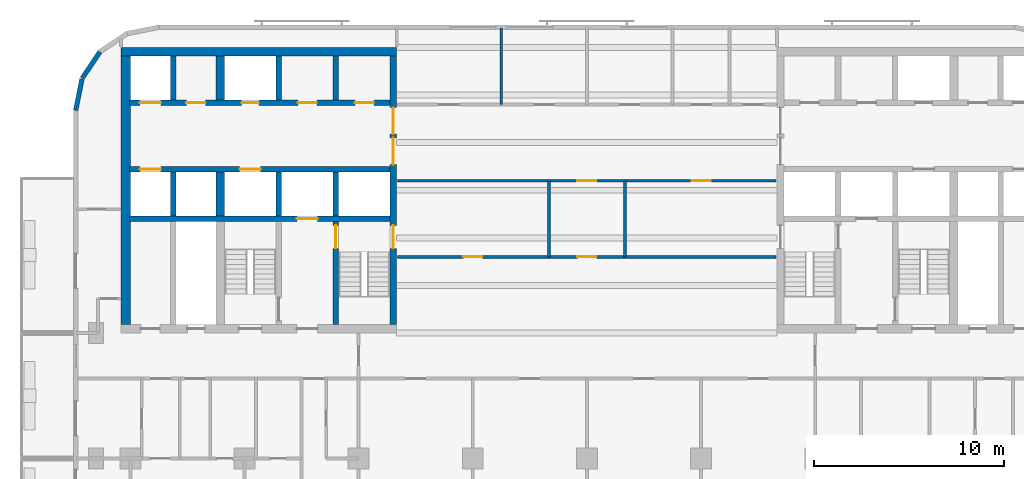
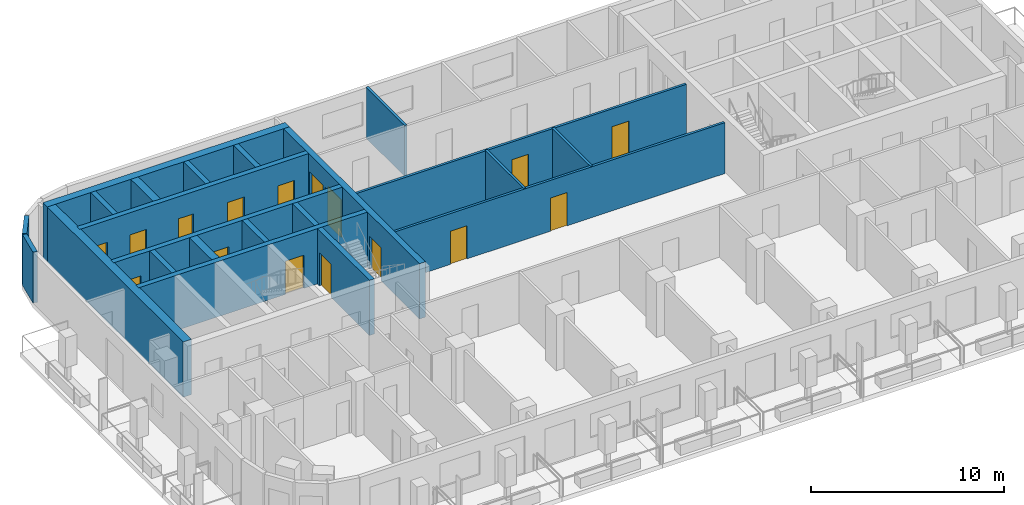
# One storey, part 4 of 11: 22 walls, 16 doors, 16 openings.
"""IFC4 building model written with IfcOpenShell, lengths in metres."""

from ifc_helpers import new_model, si_unit, direction, frame, frame_2d, origin, place, context, subcontext, project, spatial, rectangle, extrude, material, layer, layer_set, type_object, element, fill, save


model = new_model("IFC4")

# Units and contexts
model_context = context("Model", 3, precision=1e-05, world=origin(), true_north=direction((0.0, 1.0)))
body_context = subcontext(model_context, "Body", "Model", "MODEL_VIEW")
ifc_project = project(units=[si_unit("LENGTHUNIT", "METRE"), si_unit("AREAUNIT", "SQUARE_METRE"), si_unit("VOLUMEUNIT", "CUBIC_METRE"), si_unit("PLANEANGLEUNIT", "RADIAN"), si_unit("MASSUNIT", "GRAM", prefix="KILO")], contexts=[model_context])

# Site, building, storey
site_placement = place(None, origin())
site = spatial("IfcSite", under=ifc_project, at=site_placement, CompositionType="ELEMENT")
building_placement = place(site_placement, origin())
building = spatial("IfcBuilding", under=site, at=building_placement, Name="Torana Hotel and Residences", CompositionType="ELEMENT")
storey_placement = place(building_placement, frame((0.0, 0.0, 236.10009765625)))
storey = spatial("IfcBuildingStorey", under=building, at=storey_placement, Name="L62", CompositionType="ELEMENT", Elevation=236.10009765625)

# Wall, openings, doors
ifc_material_1 = material(Name="Concrete C70/85", Category="concrete")
ifc_layer_1 = layer(ifc_material_1, 0.300048828125)
ifc_layer_set_1 = layer_set([ifc_layer_1], Name="CORE WALL 300 C70/85")
wall_type_1 = type_object("IfcWallType", Name="CORE WALL 300 C70/85", PredefinedType="SHEAR", material=ifc_layer_set_1)
wall_1_placement = place(storey_placement, frame((-24.050048828125, -2.89990234375, 0.0), z_axis=(0.0, 0.0, 1.0), x_axis=(1.0, 0.0, 0.0)))
wall_1 = element("IfcWall", 1, at=wall_1_placement, inside=storey, type_object=wall_type_1, Name="Core wall W row-N", PredefinedType="SHEAR", context=body_context, shape_type="SweptSolid", body=[
    extrude(rectangle(XDim=13.699951171875, YDim=0.300048828125, at=frame_2d((6.85009765625, 0.0))), origin(), (0.0, 0.0, 1.0), 3.5),
])
opening_1_placement = place(wall_1_placement, frame((0.550048828125, 0.0, 0.0)))
opening_1 = element("IfcOpeningElement", 2, at=opening_1_placement, cuts=wall_1, Name="Opening LD", PredefinedType="OPENING", context=body_context, shape_type="SweptSolid", body=[
    extrude(rectangle(XDim=1.10009765625, YDim=2.10009765625, at=frame_2d((0.550048828125, 1.050048828125))), frame((0.0, 0.159912109375, 0.0), z_axis=(0.0, -1.0, 0.0), x_axis=(1.0, 0.0, 0.0)), (0.0, 0.0, 1.0), 0.320068359375),
])
opening_2_placement = place(wall_1_placement, frame((5.89990234375, 0.0, 0.0)))
opening_2 = element("IfcOpeningElement", 3, at=opening_2_placement, cuts=wall_1, Name="Opening L62-08", PredefinedType="OPENING", context=body_context, shape_type="SweptSolid", body=[
    extrude(rectangle(XDim=0.89990234375, YDim=2.10009765625, at=frame_2d((0.449951171875, 1.050048828125))), frame((0.0, 0.159912109375, 0.0), z_axis=(0.0, -1.0, 0.0), x_axis=(1.0, 0.0, 0.0)), (0.0, 0.0, 1.0), 0.320068359375),
])
opening_3_placement = place(wall_1_placement, frame((11.85009765625, 0.0, 0.0)))
opening_3 = element("IfcOpeningElement", 4, at=opening_3_placement, cuts=wall_1, Name="Opening L62-09", PredefinedType="OPENING", context=body_context, shape_type="SweptSolid", body=[
    extrude(rectangle(XDim=1.0, YDim=2.10009765625, at=frame_2d((0.5, 1.050048828125))), frame((0.0, 0.159912109375, 0.0), z_axis=(0.0, -1.0, 0.0), x_axis=(1.0, 0.0, 0.0)), (0.0, 0.0, 1.0), 0.320068359375),
])
opening_4_placement = place(wall_1_placement, frame((8.85009765625, 0.0, 0.0)))
opening_4 = element("IfcOpeningElement", 5, at=opening_4_placement, cuts=wall_1, Name="Opening L62-10", PredefinedType="OPENING", context=body_context, shape_type="SweptSolid", body=[
    extrude(rectangle(XDim=1.0, YDim=2.10009765625, at=frame_2d((0.5, 1.050048828125))), frame((0.0, 0.159912109375, 0.0), z_axis=(0.0, -1.0, 0.0), x_axis=(1.0, 0.0, 0.0)), (0.0, 0.0, 1.0), 0.320068359375),
])
opening_5_placement = place(wall_1_placement, frame((3.0, 0.0, 0.0)))
opening_5 = element("IfcOpeningElement", 6, at=opening_5_placement, cuts=wall_1, Name="Opening L62-11", PredefinedType="OPENING", context=body_context, shape_type="SweptSolid", body=[
    extrude(rectangle(XDim=1.0, YDim=2.10009765625, at=frame_2d((0.5, 1.050048828125))), frame((0.0, 0.159912109375, 0.0), z_axis=(0.0, -1.0, 0.0), x_axis=(1.0, 0.0, 0.0)), (0.0, 0.0, 1.0), 0.320068359375),
])
ifc_material_2 = material(Name="Steel S235", Category="steel")
door_type_1 = type_object("IfcDoorType", Name="CORE ROOM FIRE DOOR D14 1000x2100", OperationType="SINGLE_SWING_LEFT", PredefinedType="DOOR", material=ifc_material_2)
door_1_placement = place(opening_3_placement, origin())
door_1 = element("IfcDoor", 7, at=door_1_placement, inside=storey, type_object=door_type_1, Name="N0 door L62", OperationType="SINGLE_SWING_RIGHT", OverallHeight=2.10009765625, OverallWidth=1.0, PredefinedType="DOOR", context=body_context, shape_type="SweptSolid", body=[
    extrude(rectangle(XDim=1.0, YDim=2.10009765625, at=frame_2d((0.5, 1.050048828125))), frame((0.0, 0.02490234375, 0.0), z_axis=(0.0, -1.0, 0.0), x_axis=(1.0, 0.0, 0.0)), (0.0, 0.0, 1.0), 0.050048828125),
])
fill(opening_3, door_1)
door_2_placement = place(opening_4_placement, origin())
door_2 = element("IfcDoor", 8, at=door_2_placement, inside=storey, type_object=door_type_1, Name="N1 door L62", OperationType="SINGLE_SWING_RIGHT", OverallHeight=2.10009765625, OverallWidth=1.0, PredefinedType="DOOR", context=body_context, shape_type="SweptSolid", body=[
    extrude(rectangle(XDim=1.0, YDim=2.10009765625, at=frame_2d((0.5, 1.050048828125))), frame((0.0, 0.02490234375, 0.0), z_axis=(0.0, -1.0, 0.0), x_axis=(1.0, 0.0, 0.0)), (0.0, 0.0, 1.0), 0.050048828125),
])
fill(opening_4, door_2)
door_3_placement = place(opening_5_placement, origin())
door_3 = element("IfcDoor", 9, at=door_3_placement, inside=storey, type_object=door_type_1, Name="Freed-S1 door L62", OperationType="SINGLE_SWING_RIGHT", OverallHeight=2.10009765625, OverallWidth=1.0, PredefinedType="DOOR", context=body_context, shape_type="SweptSolid", body=[
    extrude(rectangle(XDim=1.0, YDim=2.10009765625, at=frame_2d((0.5, 1.050048828125))), frame((0.0, 0.02490234375, 0.0), z_axis=(0.0, -1.0, 0.0), x_axis=(1.0, 0.0, 0.0)), (0.0, 0.0, 1.0), 0.050048828125),
])
fill(opening_5, door_3)
ifc_material_3 = material(Name="Stainless steel 316", Category="steel")
door_type_2 = type_object("IfcDoorType", Name="LIFT LANDING DOOR LD 1100x2100", OperationType="DOUBLE_DOOR_SLIDING", PredefinedType="USERDEFINED", material=ifc_material_3)
door_4_placement = place(opening_1_placement, origin())
door_4 = element("IfcDoor", 10, at=door_4_placement, inside=storey, type_object=door_type_2, Name="Lift landing door M1 L62", ObjectType="LIFT LANDING DOOR", OperationType="DOUBLE_DOOR_SLIDING", OverallHeight=2.10009765625, OverallWidth=1.10009765625, PredefinedType="USERDEFINED", context=body_context, shape_type="SweptSolid", body=[
    extrude(rectangle(XDim=1.10009765625, YDim=2.10009765625, at=frame_2d((0.550048828125, 1.050048828125))), frame((0.0, 0.02490234375, 0.0), z_axis=(0.0, -1.0, 0.0), x_axis=(1.0, 0.0, 0.0)), (0.0, 0.0, 1.0), 0.050048828125),
])
fill(opening_1, door_4)
ifc_material_4 = material(Name="Steel S235", Category="steel")
door_type_3 = type_object("IfcDoorType", Name="RISER ACCESS DOOR D5 900x2100", OperationType="SINGLE_SWING_LEFT", PredefinedType="DOOR", material=ifc_material_4)
door_5_placement = place(opening_2_placement, origin())
door_5 = element("IfcDoor", 11, at=door_5_placement, inside=storey, type_object=door_type_3, Name="N2 door L62", OperationType="SINGLE_SWING_RIGHT", OverallHeight=2.10009765625, OverallWidth=0.89990234375, PredefinedType="DOOR", context=body_context, shape_type="SweptSolid", body=[
    extrude(rectangle(XDim=0.89990234375, YDim=2.10009765625, at=frame_2d((0.449951171875, 1.050048828125))), frame((0.0, 0.02490234375, 0.0), z_axis=(0.0, -1.0, 0.0), x_axis=(1.0, 0.0, 0.0)), (0.0, 0.0, 1.0), 0.050048828125),
])
fill(opening_2, door_5)

wall_2_placement = place(storey_placement, frame((-24.050048828125, -6.39990234375, 0.0), z_axis=(0.0, 0.0, 1.0), x_axis=(1.0, 0.0, 0.0)))
wall_2 = element("IfcWall", 12, at=wall_2_placement, inside=storey, type_object=wall_type_1, Name="Core wall W row-S", PredefinedType="SHEAR", context=body_context, shape_type="SweptSolid", body=[
    extrude(rectangle(XDim=13.699951171875, YDim=0.300048828125, at=frame_2d((6.85009765625, 0.0))), origin(), (0.0, 0.0, 1.0), 3.5),
])
opening_6_placement = place(wall_2_placement, frame((0.550048828125, 0.0, 0.0)))
opening_6 = element("IfcOpeningElement", 13, at=opening_6_placement, cuts=wall_2, Name="Opening LD", PredefinedType="OPENING", context=body_context, shape_type="SweptSolid", body=[
    extrude(rectangle(XDim=1.10009765625, YDim=2.10009765625, at=frame_2d((0.550048828125, 1.050048828125))), frame((0.0, 0.159912109375, 0.0), z_axis=(0.0, -1.0, 0.0), x_axis=(1.0, 0.0, 0.0)), (0.0, 0.0, 1.0), 0.320068359375),
])
opening_7_placement = place(wall_2_placement, frame((5.800048828125, 0.0, 0.0)))
opening_7 = element("IfcOpeningElement", 14, at=opening_7_placement, cuts=wall_2, Name="Opening LD", PredefinedType="OPENING", context=body_context, shape_type="SweptSolid", body=[
    extrude(rectangle(XDim=1.10009765625, YDim=2.10009765625, at=frame_2d((0.550048828125, 1.050048828125))), frame((0.0, 0.159912109375, 0.0), z_axis=(0.0, -1.0, 0.0), x_axis=(1.0, 0.0, 0.0)), (0.0, 0.0, 1.0), 0.320068359375),
])
door_6_placement = place(opening_6_placement, origin())
door_6 = element("IfcDoor", 15, at=door_6_placement, inside=storey, type_object=door_type_2, Name="Lift landing door M2 L62", ObjectType="LIFT LANDING DOOR", OperationType="DOUBLE_DOOR_SLIDING", OverallHeight=2.10009765625, OverallWidth=1.10009765625, PredefinedType="USERDEFINED", context=body_context, shape_type="SweptSolid", body=[
    extrude(rectangle(XDim=1.10009765625, YDim=2.10009765625, at=frame_2d((0.550048828125, 1.050048828125))), frame((0.0, 0.02490234375, 0.0), z_axis=(0.0, -1.0, 0.0), x_axis=(1.0, 0.0, 0.0)), (0.0, 0.0, 1.0), 0.050048828125),
])
fill(opening_6, door_6)
door_7_placement = place(opening_7_placement, origin())
door_7 = element("IfcDoor", 16, at=door_7_placement, inside=storey, type_object=door_type_2, Name="Lift landing door SV1 L62", ObjectType="LIFT LANDING DOOR", OperationType="DOUBLE_DOOR_SLIDING", OverallHeight=2.10009765625, OverallWidth=1.10009765625, PredefinedType="USERDEFINED", context=body_context, shape_type="SweptSolid", body=[
    extrude(rectangle(XDim=1.10009765625, YDim=2.10009765625, at=frame_2d((0.550048828125, 1.050048828125))), frame((0.0, 0.02490234375, 0.0), z_axis=(0.0, -1.0, 0.0), x_axis=(1.0, 0.0, 0.0)), (0.0, 0.0, 1.0), 0.050048828125),
])
fill(opening_7, door_7)

# Wall, opening, door
wall_3_placement = place(storey_placement, frame((-24.050048828125, -9.0, 0.0), z_axis=(0.0, 0.0, 1.0), x_axis=(1.0, 0.0, 0.0)))
wall_3 = element("IfcWall", 17, at=wall_3_placement, inside=storey, type_object=wall_type_1, Name="Core wall W band", PredefinedType="SHEAR", context=body_context, shape_type="SweptSolid", body=[
    extrude(rectangle(XDim=13.699951171875, YDim=0.300048828125, at=frame_2d((6.85009765625, 0.0))), origin(), (0.0, 0.0, 1.0), 3.5),
])
opening_8_placement = place(wall_3_placement, frame((8.800048828125, 0.0, 0.0)))
opening_8 = element("IfcOpeningElement", 18, at=opening_8_placement, cuts=wall_3, Name="Opening LD", PredefinedType="OPENING", context=body_context, shape_type="SweptSolid", body=[
    extrude(rectangle(XDim=1.10009765625, YDim=2.10009765625, at=frame_2d((0.550048828125, 1.050048828125))), frame((0.0, 0.159912109375, 0.0), z_axis=(0.0, -1.0, 0.0), x_axis=(1.0, 0.0, 0.0)), (0.0, 0.0, 1.0), 0.320068359375),
])
door_8_placement = place(opening_8_placement, origin())
door_8 = element("IfcDoor", 19, at=door_8_placement, inside=storey, type_object=door_type_2, Name="Lift landing door FF1 L62", ObjectType="LIFT LANDING DOOR", OperationType="DOUBLE_DOOR_SLIDING", OverallHeight=2.10009765625, OverallWidth=1.10009765625, PredefinedType="USERDEFINED", context=body_context, shape_type="SweptSolid", body=[
    extrude(rectangle(XDim=1.10009765625, YDim=2.10009765625, at=frame_2d((0.550048828125, 1.050048828125))), frame((0.0, 0.02490234375, 0.0), z_axis=(0.0, -1.0, 0.0), x_axis=(1.0, 0.0, 0.0)), (0.0, 0.0, 1.0), 0.050048828125),
])
fill(opening_8, door_8)

# Walls
for number, where, z_axis, x_axis, name in (
    (20, (-13.199951171875, -2.75, 0.0), (0.0, 0.0, 1.0), (0.0, 1.0, 0.0), "Core wall W x3.05-N"),
    (21, (-13.199951171875, -8.85009765625, 0.0), (0.0, 0.0, 1.0), (0.0, 1.0, 0.0), "Core wall W x3.05-S"),
):
    element("IfcWall", number, at=place(storey_placement, frame(where, z_axis=z_axis, x_axis=x_axis)), inside=storey, type_object=wall_type_1, Name=name, PredefinedType="SHEAR", context=body_context, shape_type="SweptSolid", body=[
        extrude(rectangle(XDim=2.300048828125, YDim=0.300048828125, at=frame_2d((1.14990234375, 0.0))), origin(), (0.0, 0.0, 1.0), 3.5),
    ])

# Wall, opening, door
wall_4_placement = place(storey_placement, frame((-13.199951171875, -14.550048828125, 0.0), z_axis=(0.0, 0.0, 1.0), x_axis=(0.0, 1.0, 0.0)))
wall_4 = element("IfcWall", 22, at=wall_4_placement, inside=storey, type_object=wall_type_1, Name="Core wall W x3.05-band", PredefinedType="SHEAR", context=body_context, shape_type="SweptSolid", body=[
    extrude(rectangle(XDim=5.400146484375, YDim=0.300048828125, at=frame_2d((2.7001953125, 0.0))), origin(), (0.0, 0.0, 1.0), 3.5),
])
opening_9_placement = place(wall_4_placement, frame((4.0, 0.0, 0.0)))
opening_9 = element("IfcOpeningElement", 23, at=opening_9_placement, cuts=wall_4, Name="Opening L62-12", PredefinedType="OPENING", context=body_context, shape_type="SweptSolid", body=[
    extrude(rectangle(XDim=1.199951171875, YDim=2.10009765625, at=frame_2d((0.60009765625, 1.050048828125))), frame((0.0, 0.159912109375, 0.0), z_axis=(0.0, -1.0, 0.0), x_axis=(1.0, 0.0, 0.0)), (0.0, 0.0, 1.0), 0.320068359375),
])
ifc_material_5 = material(Name="Steel S235", Category="steel")
door_type_4 = type_object("IfcDoorType", Name="STAIR FIRE DOOR D3 1200x2100", OperationType="SINGLE_SWING_LEFT", PredefinedType="DOOR", material=ifc_material_5)
door_9_placement = place(opening_9_placement, frame((0.60009765625, 0.0, 0.0), z_axis=(0.0, 0.0, 1.0), x_axis=(-1.0, 0.0, 0.0)))
door_9 = element("IfcDoor", 24, at=door_9_placement, inside=storey, type_object=door_type_4, Name="Stair-A-lobby door L62", OperationType="SINGLE_SWING_RIGHT", OverallHeight=2.10009765625, OverallWidth=1.199951171875, PredefinedType="DOOR", context=body_context, shape_type="SweptSolid", body=[
    extrude(rectangle(XDim=1.199951171875, YDim=2.10009765625, at=frame_2d((0.0, 1.050048828125))), frame((0.0, -0.02490234375, 0.0), z_axis=(0.0, 1.0, 0.0), x_axis=(-1.0, 0.0, 0.0)), (0.0, 0.0, 1.0), 0.050048828125),
])
fill(opening_9, door_9)

# Walls
for number, where, z_axis, x_axis, name in (
    (25, (-16.199951171875, -2.75, 0.0), (0.0, 0.0, 1.0), (0.0, 1.0, 0.0), "Core wall W x6.05-N"),
    (26, (-16.199951171875, -8.85009765625, 0.0), (0.0, 0.0, 1.0), (0.0, 1.0, 0.0), "Core wall W x6.05-S"),
    (27, (-21.75, -2.75, 0.0), (0.0, 0.0, 1.0), (0.0, 1.0, 0.0), "Core wall W mm-N"),
    (28, (-21.75, -8.85009765625, 0.0), (0.0, 0.0, 1.0), (0.0, 1.0, 0.0), "Core wall W mm-S"),
):
    element("IfcWall", number, at=place(storey_placement, frame(where, z_axis=z_axis, x_axis=x_axis)), inside=storey, type_object=wall_type_1, Name=name, PredefinedType="SHEAR", context=body_context, shape_type="SweptSolid", body=[
        extrude(rectangle(XDim=2.300048828125, YDim=0.300048828125, at=frame_2d((1.14990234375, 0.0))), origin(), (0.0, 0.0, 1.0), 3.5),
    ])

# Wall, openings, doors
ifc_material_6 = material(Name="Concrete C70/85", Category="concrete")
ifc_layer_2 = layer(ifc_material_6, 0.35009765625)
ifc_layer_set_2 = layer_set([ifc_layer_2], Name="CORE WALL 350 C70/85")
wall_type_2 = type_object("IfcWallType", Name="CORE WALL 350 C70/85", PredefinedType="SHEAR", material=ifc_layer_set_2)
wall_5_placement = place(storey_placement, frame((-10.175048828125, -14.550048828125, 0.0), z_axis=(0.0, 0.0, 1.0), x_axis=(0.0, 1.0, 0.0)))
wall_5 = element("IfcWall", 29, at=wall_5_placement, inside=storey, type_object=wall_type_2, Name="Core wall W arch", PredefinedType="SHEAR", context=body_context, shape_type="SweptSolid", body=[
    extrude(rectangle(XDim=14.10009765625, YDim=0.35009765625, at=frame_2d((7.050048828125, 0.0))), origin(), (0.0, 0.0, 1.0), 3.5),
])
opening_10_placement = place(wall_5_placement, frame((8.39990234375, 0.0, 0.0)))
opening_10 = element("IfcOpeningElement", 30, at=opening_10_placement, cuts=wall_5, Name="Opening L62-01", PredefinedType="OPENING", context=body_context, shape_type="SweptSolid", body=[
    extrude(rectangle(XDim=1.39990234375, YDim=2.39990234375, at=frame_2d((0.699951171875, 1.199951171875))), frame((0.0, 0.18505859375, 0.0), z_axis=(0.0, -1.0, 0.0), x_axis=(1.0, 0.0, 0.0)), (0.0, 0.0, 1.0), 0.3701171875),
])
opening_11_placement = place(wall_5_placement, frame((10.0, 0.0, 0.0)))
opening_11 = element("IfcOpeningElement", 31, at=opening_11_placement, cuts=wall_5, Name="Opening L62-02", PredefinedType="OPENING", context=body_context, shape_type="SweptSolid", body=[
    extrude(rectangle(XDim=1.39990234375, YDim=2.39990234375, at=frame_2d((0.699951171875, 1.199951171875))), frame((0.0, 0.18505859375, 0.0), z_axis=(0.0, -1.0, 0.0), x_axis=(1.0, 0.0, 0.0)), (0.0, 0.0, 1.0), 0.3701171875),
])
opening_12_placement = place(wall_5_placement, frame((4.0, 0.0, 0.0)))
opening_12 = element("IfcOpeningElement", 32, at=opening_12_placement, cuts=wall_5, Name="Opening L62-03", PredefinedType="OPENING", context=body_context, shape_type="SweptSolid", body=[
    extrude(rectangle(XDim=1.199951171875, YDim=2.10009765625, at=frame_2d((0.60009765625, 1.050048828125))), frame((0.0, 0.18505859375, 0.0), z_axis=(0.0, -1.0, 0.0), x_axis=(1.0, 0.0, 0.0)), (0.0, 0.0, 1.0), 0.3701171875),
])
ifc_material_7 = material(Name="Steel S235", Category="steel")
door_type_5 = type_object("IfcDoorType", Name="LOBBY FIRE DOOR D4 1400x2400", OperationType="DOUBLE_DOOR_SINGLE_SWING", PredefinedType="DOOR", material=ifc_material_7)
door_10_placement = place(opening_10_placement, origin())
door_10 = element("IfcDoor", 33, at=door_10_placement, inside=storey, type_object=door_type_5, Name="Lobby-1 door L62", OperationType="DOUBLE_DOOR_SINGLE_SWING", OverallHeight=2.39990234375, OverallWidth=1.39990234375, PredefinedType="DOOR", context=body_context, shape_type="SweptSolid", body=[
    extrude(rectangle(XDim=1.39990234375, YDim=2.39990234375, at=frame_2d((0.699951171875, 1.199951171875))), frame((0.0, 0.02490234375, 0.0), z_axis=(0.0, -1.0, 0.0), x_axis=(1.0, 0.0, 0.0)), (0.0, 0.0, 1.0), 0.050048828125),
])
fill(opening_10, door_10)
door_11_placement = place(opening_11_placement, origin())
door_11 = element("IfcDoor", 34, at=door_11_placement, inside=storey, type_object=door_type_5, Name="Lobby-2 door L62", OperationType="DOUBLE_DOOR_SINGLE_SWING", OverallHeight=2.39990234375, OverallWidth=1.39990234375, PredefinedType="DOOR", context=body_context, shape_type="SweptSolid", body=[
    extrude(rectangle(XDim=1.39990234375, YDim=2.39990234375, at=frame_2d((0.699951171875, 1.199951171875))), frame((0.0, 0.02490234375, 0.0), z_axis=(0.0, -1.0, 0.0), x_axis=(1.0, 0.0, 0.0)), (0.0, 0.0, 1.0), 0.050048828125),
])
fill(opening_11, door_11)
door_12_placement = place(opening_12_placement, origin())
door_12 = element("IfcDoor", 35, at=door_12_placement, inside=storey, type_object=door_type_4, Name="Stair-A door L62", OperationType="SINGLE_SWING_LEFT", OverallHeight=2.10009765625, OverallWidth=1.199951171875, PredefinedType="DOOR", context=body_context, shape_type="SweptSolid", body=[
    extrude(rectangle(XDim=1.199951171875, YDim=2.10009765625, at=frame_2d((0.60009765625, 1.050048828125))), frame((0.0, 0.02490234375, 0.0), z_axis=(0.0, -1.0, 0.0), x_axis=(1.0, 0.0, 0.0)), (0.0, 0.0, 1.0), 0.050048828125),
])
fill(opening_12, door_12)

# Walls
ifc_material_8 = material(Name="Concrete C70/85", Category="concrete")
ifc_layer_3 = layer(ifc_material_8, 0.449951171875)
ifc_layer_set_3 = layer_set([ifc_layer_3], Name="CORE WALL 450 C70/85")
wall_type_3 = type_object("IfcWallType", Name="CORE WALL 450 C70/85", PredefinedType="SHEAR", material=ifc_layer_set_3)
wall_6_placement = place(storey_placement, frame((-24.5, -0.22509765625, 0.0), z_axis=(0.0, 0.0, 1.0), x_axis=(1.0, 0.0, 0.0)))
element("IfcWall", 36, at=wall_6_placement, inside=storey, type_object=wall_type_3, Name="Core wall W rear", PredefinedType="SHEAR", context=body_context, shape_type="SweptSolid", body=[
    extrude(rectangle(XDim=14.5, YDim=0.449951171875, at=frame_2d((7.25, 0.0))), origin(), (0.0, 0.0, 1.0), 3.5),
])
for number, where, z_axis, x_axis, name in (
    (37, (-19.27490234375, -2.75, 0.0), (0.0, 0.0, 1.0), (0.0, 1.0, 0.0), "Core wall W hm-N"),
    (38, (-19.27490234375, -8.85009765625, 0.0), (0.0, 0.0, 1.0), (0.0, 1.0, 0.0), "Core wall W hm-S"),
):
    element("IfcWall", number, at=place(storey_placement, frame(where, z_axis=z_axis, x_axis=x_axis)), inside=storey, type_object=wall_type_3, Name=name, PredefinedType="SHEAR", context=body_context, shape_type="SweptSolid", body=[
        extrude(rectangle(XDim=2.300048828125, YDim=0.449951171875, at=frame_2d((1.14990234375, 0.0))), origin(), (0.0, 0.0, 1.0), 3.5),
    ])
ifc_material_9 = material(Name="Concrete C70/85", Category="concrete")
ifc_layer_4 = layer(ifc_material_9, 0.5)
ifc_layer_set_4 = layer_set([ifc_layer_4], Name="CORE WALL 500 C70/85")
wall_type_4 = type_object("IfcWallType", Name="CORE WALL 500 C70/85", PredefinedType="SHEAR", material=ifc_layer_set_4)
wall_7_placement = place(storey_placement, frame((-24.25, -14.550048828125, 0.0), z_axis=(0.0, 0.0, 1.0), x_axis=(0.0, 1.0, 0.0)))
element("IfcWall", 39, at=wall_7_placement, inside=storey, type_object=wall_type_4, Name="Core wall W outer", PredefinedType="SHEAR", context=body_context, shape_type="SweptSolid", body=[
    extrude(rectangle(XDim=14.10009765625, YDim=0.5, at=frame_2d((7.050048828125, 0.0))), origin(), (0.0, 0.0, 1.0), 3.5),
])
ifc_material_10 = material(Name="Black aluminium composite panel", Category="aluminium")
ifc_layer_5 = layer(ifc_material_10, 0.00390625, Name="Cladding", Category="cladding")
ifc_material_11 = material(Name="Ventilated air cavity")
ifc_layer_6 = layer(ifc_material_11, 0.0400390625, Name="Ventilated cavity", Category="cavity")
ifc_material_12 = material(Name="Mineral wool insulation")
ifc_layer_7 = layer(ifc_material_12, 0.090087890625, Name="Insulation", Category="insulation")
ifc_material_13 = material(Name="Steel S280GD", Category="steel")
ifc_layer_8 = layer(ifc_material_13, 0.092041015625, Name="Steel stud frame", Category="structure")
ifc_material_14 = material(Name="Fire rated plasterboard")
ifc_layer_9 = layer(ifc_material_14, 0.011962890625, Name="Inner board", Category="finish")
ifc_layer_10 = layer(ifc_material_14, 0.011962890625, Name="Second board", Category="finish")
ifc_layer_set_5 = layer_set([ifc_layer_5, ifc_layer_6, ifc_layer_7, ifc_layer_8, ifc_layer_9, ifc_layer_10], Name="EW1 EXTERNAL WALL BLACK METAL CLAD 250")
wall_type_5 = type_object("IfcWallType", Name="EW1 EXTERNAL WALL BLACK METAL CLAD 250", PredefinedType="SOLIDWALL", material=ifc_layer_set_5)
wall_8_placement = place(storey_placement, frame((-25.605712890625, -0.228759765625, 0.0), z_axis=(0.0, 0.0, 1.0), x_axis=(-0.55555029066, -0.831482937015, 0.0)))
element("IfcWall", 40, at=wall_8_placement, inside=storey, type_object=wall_type_5, Name="External wall L62 e0.7", PredefinedType="SOLIDWALL", context=body_context, shape_type="SweptSolid", body=[
    extrude(rectangle(XDim=1.65625, YDim=0.25, at=frame_2d((0.828125, 0.0))), origin(), (0.0, 0.0, 1.0), 3.219970703125),
])
wall_9_placement = place(storey_placement, frame((-26.544677734375, -1.651123046875, 0.0), z_axis=(0.0, 0.0, 1.0), x_axis=(-0.194999110559, -0.980803419081, 0.0)))
element("IfcWall", 41, at=wall_9_placement, inside=storey, type_object=wall_type_5, Name="External wall L62 e0.8", PredefinedType="SOLIDWALL", context=body_context, shape_type="SweptSolid", body=[
    extrude(rectangle(XDim=1.681396484375, YDim=0.25, at=frame_2d((0.8408203125, 0.0))), origin(), (0.0, 0.0, 1.0), 3.219970703125),
])
ifc_material_15 = material(Name="Gypsum plaster")
ifc_layer_11 = layer(ifc_material_15, 0.014892578125, Name="Plaster", Category="finish")
ifc_material_16 = material(Name="Concrete blockwork", Category="masonry")
ifc_layer_12 = layer(ifc_material_16, 0.1201171875, Name="Blockwork", Category="structure")
ifc_layer_13 = layer(ifc_material_15, 0.014892578125, Name="Plaster", Category="finish")
ifc_layer_set_6 = layer_set([ifc_layer_11, ifc_layer_12, ifc_layer_13], Name="FIRE PARTITION 150 BLOCKWORK")
wall_type_6 = type_object("IfcWallType", Name="FIRE PARTITION 150 BLOCKWORK", PredefinedType="PARTITIONING", material=ifc_layer_set_6)
for number, where, z_axis, x_axis, name in (
    (42, (2.0, -11.0, 0.0), (0.0, 0.0, 1.0), (0.0, 1.0, 0.0), "Partition L62"),
    (43, (-2.0, -11.0, 0.0), (0.0, 0.0, 1.0), (0.0, 1.0, 0.0), "Partition L62"),
):
    element("IfcWall", number, at=place(storey_placement, frame(where, z_axis=z_axis, x_axis=x_axis)), inside=storey, type_object=wall_type_6, Name=name, PredefinedType="PARTITIONING", context=body_context, shape_type="SweptSolid", body=[
        extrude(rectangle(XDim=4.0, YDim=0.14990234375, at=frame_2d((2.0, 0.0))), origin(), (0.0, 0.0, 1.0), 3.219970703125),
    ])

# Wall, openings, doors
wall_10_placement = place(storey_placement, frame((-9.949951171875, -11.0, 0.0), z_axis=(0.0, 0.0, 1.0), x_axis=(1.0, 0.0, 0.0)))
wall_10 = element("IfcWall", 44, at=wall_10_placement, inside=storey, type_object=wall_type_6, Name="Partition L62", PredefinedType="PARTITIONING", context=body_context, shape_type="SweptSolid", body=[
    extrude(rectangle(XDim=19.89990234375, YDim=0.14990234375, at=frame_2d((9.949951171875, 0.0))), origin(), (0.0, 0.0, 1.0), 3.219970703125),
])
opening_13_placement = place(wall_10_placement, frame((9.449951171875, 0.0, 0.0)))
opening_13 = element("IfcOpeningElement", 45, at=opening_13_placement, cuts=wall_10, Name="Opening L62-36", PredefinedType="OPENING", context=body_context, shape_type="SweptSolid", body=[
    extrude(rectangle(XDim=1.0, YDim=2.10009765625, at=frame_2d((0.5, 1.050048828125))), frame((0.0, 0.0849609375, 0.0), z_axis=(0.0, -1.0, 0.0), x_axis=(1.0, 0.0, 0.0)), (0.0, 0.0, 1.0), 0.169921875),
])
opening_14_placement = place(wall_10_placement, frame((3.449951171875, 0.0, 0.0)))
opening_14 = element("IfcOpeningElement", 46, at=opening_14_placement, cuts=wall_10, Name="Opening L62-41", PredefinedType="OPENING", context=body_context, shape_type="SweptSolid", body=[
    extrude(rectangle(XDim=1.0, YDim=2.10009765625, at=frame_2d((0.5, 1.050048828125))), frame((0.0, 0.0849609375, 0.0), z_axis=(0.0, -1.0, 0.0), x_axis=(1.0, 0.0, 0.0)), (0.0, 0.0, 1.0), 0.169921875),
])
ifc_material_17 = material(Name="Steel S235", Category="steel")
door_type_6 = type_object("IfcDoorType", Name="ENTRY FIRE DOOR D6 1000x2100", OperationType="SINGLE_SWING_LEFT", PredefinedType="DOOR", material=ifc_material_17)
door_13_placement = place(opening_13_placement, origin())
door_13 = element("IfcDoor", 47, at=door_13_placement, inside=storey, type_object=door_type_6, Name="Door L62", OperationType="SINGLE_SWING_RIGHT", OverallHeight=2.10009765625, OverallWidth=1.0, PredefinedType="DOOR", context=body_context, shape_type="SweptSolid", body=[
    extrude(rectangle(XDim=1.0, YDim=2.10009765625, at=frame_2d((0.5, 1.050048828125))), frame((0.0, 0.02490234375, 0.0), z_axis=(0.0, -1.0, 0.0), x_axis=(1.0, 0.0, 0.0)), (0.0, 0.0, 1.0), 0.050048828125),
])
fill(opening_13, door_13)
door_14_placement = place(opening_14_placement, origin())
door_14 = element("IfcDoor", 48, at=door_14_placement, inside=storey, type_object=door_type_6, Name="Door L62", OperationType="SINGLE_SWING_RIGHT", OverallHeight=2.10009765625, OverallWidth=1.0, PredefinedType="DOOR", context=body_context, shape_type="SweptSolid", body=[
    extrude(rectangle(XDim=1.0, YDim=2.10009765625, at=frame_2d((0.5, 1.050048828125))), frame((0.0, 0.02490234375, 0.0), z_axis=(0.0, -1.0, 0.0), x_axis=(1.0, 0.0, 0.0)), (0.0, 0.0, 1.0), 0.050048828125),
])
fill(opening_14, door_14)

wall_11_placement = place(storey_placement, frame((-9.949951171875, -7.0, 0.0), z_axis=(0.0, 0.0, 1.0), x_axis=(1.0, 0.0, 0.0)))
wall_11 = element("IfcWall", 49, at=wall_11_placement, inside=storey, type_object=wall_type_6, Name="Partition L62", PredefinedType="PARTITIONING", context=body_context, shape_type="SweptSolid", body=[
    extrude(rectangle(XDim=19.89990234375, YDim=0.14990234375, at=frame_2d((9.949951171875, 0.0))), origin(), (0.0, 0.0, 1.0), 3.219970703125),
])
opening_15_placement = place(wall_11_placement, frame((9.449951171875, 0.0, 0.0)))
opening_15 = element("IfcOpeningElement", 50, at=opening_15_placement, cuts=wall_11, Name="Opening L62-42", PredefinedType="OPENING", context=body_context, shape_type="SweptSolid", body=[
    extrude(rectangle(XDim=1.0, YDim=2.10009765625, at=frame_2d((0.5, 1.050048828125))), frame((0.0, 0.0849609375, 0.0), z_axis=(0.0, -1.0, 0.0), x_axis=(1.0, 0.0, 0.0)), (0.0, 0.0, 1.0), 0.169921875),
])
opening_16_placement = place(wall_11_placement, frame((15.449951171875, 0.0, 0.0)))
opening_16 = element("IfcOpeningElement", 51, at=opening_16_placement, cuts=wall_11, Name="Opening L62-43", PredefinedType="OPENING", context=body_context, shape_type="SweptSolid", body=[
    extrude(rectangle(XDim=1.0, YDim=2.10009765625, at=frame_2d((0.5, 1.050048828125))), frame((0.0, 0.0849609375, 0.0), z_axis=(0.0, -1.0, 0.0), x_axis=(1.0, 0.0, 0.0)), (0.0, 0.0, 1.0), 0.169921875),
])
door_15_placement = place(opening_15_placement, origin())
door_15 = element("IfcDoor", 52, at=door_15_placement, inside=storey, type_object=door_type_6, Name="Door L62", OperationType="SINGLE_SWING_RIGHT", OverallHeight=2.10009765625, OverallWidth=1.0, PredefinedType="DOOR", context=body_context, shape_type="SweptSolid", body=[
    extrude(rectangle(XDim=1.0, YDim=2.10009765625, at=frame_2d((0.5, 1.050048828125))), frame((0.0, 0.02490234375, 0.0), z_axis=(0.0, -1.0, 0.0), x_axis=(1.0, 0.0, 0.0)), (0.0, 0.0, 1.0), 0.050048828125),
])
fill(opening_15, door_15)
door_16_placement = place(opening_16_placement, frame((0.5, 0.0, 0.0), z_axis=(0.0, 0.0, 1.0), x_axis=(-1.0, 0.0, 0.0)))
door_16 = element("IfcDoor", 53, at=door_16_placement, inside=storey, type_object=door_type_6, Name="Door L62", OperationType="SINGLE_SWING_LEFT", OverallHeight=2.10009765625, OverallWidth=1.0, PredefinedType="DOOR", context=body_context, shape_type="SweptSolid", body=[
    extrude(rectangle(XDim=1.0, YDim=2.10009765625, at=frame_2d((0.0, 1.050048828125))), frame((0.0, -0.02490234375, 0.0), z_axis=(0.0, 1.0, 0.0), x_axis=(-1.0, 0.0, 0.0)), (0.0, 0.0, 1.0), 0.050048828125),
])
fill(opening_16, door_16)

# Wall
ifc_material_18 = material(Name="Gypsum plasterboard")
ifc_layer_14 = layer(ifc_material_18, 0.012451171875, Name="Plasterboard", Category="finish")
ifc_layer_15 = layer(ifc_material_18, 0.012451171875, Name="Plasterboard", Category="finish")
ifc_layer_16 = layer(ifc_material_13, 0.10009765625, Name="Steel studs with mineral wool", Category="insulation")
ifc_layer_17 = layer(ifc_material_18, 0.012451171875, Name="Plasterboard", Category="finish")
ifc_layer_18 = layer(ifc_material_18, 0.012451171875, Name="Plasterboard", Category="finish")
ifc_layer_set_7 = layer_set([ifc_layer_14, ifc_layer_15, ifc_layer_16, ifc_layer_17, ifc_layer_18], Name="PARTITION 150 PLASTERBOARD")
wall_type_7 = type_object("IfcWallType", Name="PARTITION 150 PLASTERBOARD", PredefinedType="PARTITIONING", material=ifc_layer_set_7)
wall_12_placement = place(storey_placement, frame((-4.5, -3.0, 0.0), z_axis=(0.0, 0.0, 1.0), x_axis=(0.0, 1.0, 0.0)))
element("IfcWall", 54, at=wall_12_placement, inside=storey, type_object=wall_type_7, Name="Partition L62", PredefinedType="PARTITIONING", context=body_context, shape_type="SweptSolid", body=[
    extrude(rectangle(XDim=4.02001953125, YDim=0.14990234375, at=frame_2d((2.010009765625, 0.0))), origin(), (0.0, 0.0, 1.0), 3.219970703125),
])

save(model, "model.ifc")
